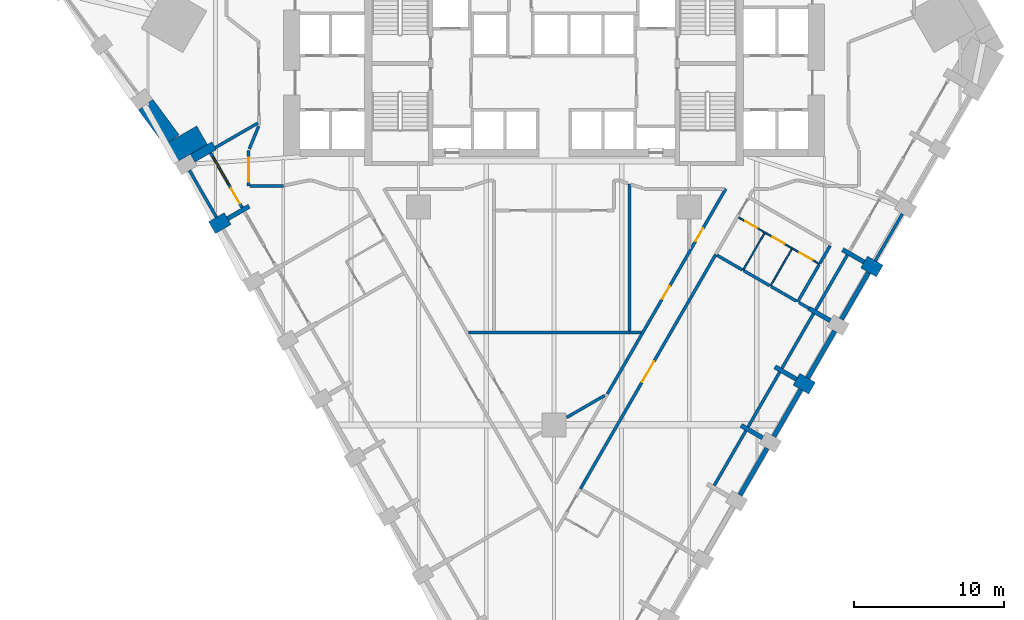
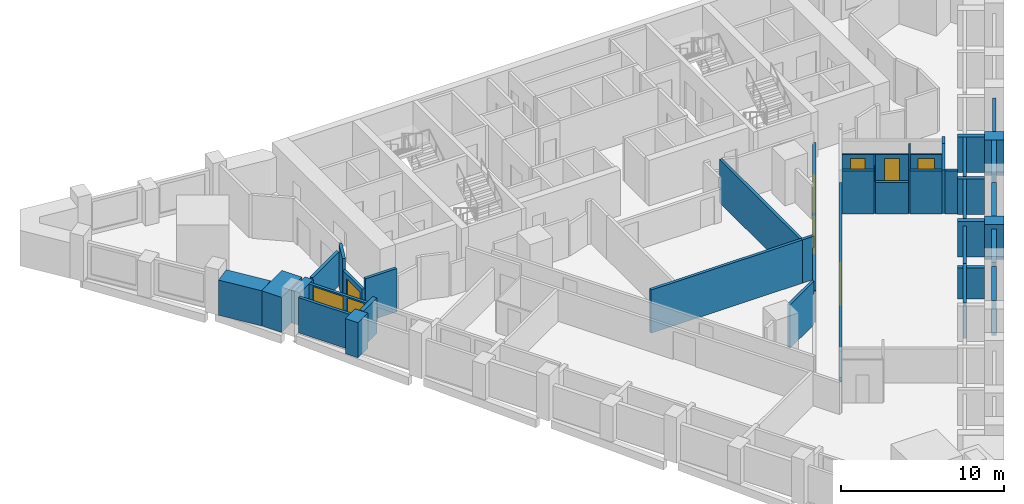
# One storey, part 4 of 10: 41 walls, 8 doors, 1 window, 9 openings.
"""IFC4 building model written with IfcOpenShell, lengths in metres."""

from ifc_helpers import new_model, si_unit, direction, frame, frame_2d, origin, place, context, subcontext, project, spatial, polyline, rectangle, outline, extrude, material, layer, layer_set, type_object, element, fill, save


model = new_model("IFC4")

# Units and contexts
model_context = context("Model", 3, precision=1e-05, world=origin(), true_north=direction((0.0, 1.0)))
body_context = subcontext(model_context, "Body", "Model", "MODEL_VIEW")
ifc_project = project(units=[si_unit("LENGTHUNIT", "METRE"), si_unit("AREAUNIT", "SQUARE_METRE"), si_unit("VOLUMEUNIT", "CUBIC_METRE"), si_unit("PLANEANGLEUNIT", "RADIAN"), si_unit("MASSUNIT", "GRAM", prefix="KILO")], contexts=[model_context])

# Site, building, storey
site_placement = place(None, origin())
site = spatial("IfcSite", under=ifc_project, at=site_placement, CompositionType="ELEMENT")
building_placement = place(site_placement, origin())
building = spatial("IfcBuilding", under=site, at=building_placement, Name="Calabash Gate Tower", CompositionType="ELEMENT")
storey_placement = place(building_placement, frame((0.0, 0.0, 56.199951171875)))
storey = spatial("IfcBuildingStorey", under=building, at=storey_placement, Name="L09", CompositionType="ELEMENT", Elevation=56.199951171875)

# Walls
ifc_material_1 = material(Name="Terracotta brick masonry, exposed face", Category="masonry")
ifc_layer_1 = layer(ifc_material_1, 2.5)
ifc_layer_set_1 = layer_set([ifc_layer_1], Name="Brick corner mass wall 2500")
wall_type_1 = type_object("IfcWallType", Name="Brick corner mass wall 2500", PredefinedType="SOLIDWALL", material=ifc_layer_set_1)
wall_1_placement = place(storey_placement, frame((-25.568603515625, 6.014404296875, 0.0), z_axis=(0.0, 0.0, 1.0), x_axis=(0.866022959057, 0.500004234368, 0.0)))
element("IfcWall", 1, at=wall_1_placement, inside=storey, type_object=wall_type_1, Name="Brick corner pier S02 1", PredefinedType="SOLIDWALL", context=body_context, shape_type="SweptSolid", body=[
    extrude(rectangle(XDim=2.5, YDim=1.417236328125, at=frame_2d((1.25, 0.0))), origin(), (0.0, 0.0, 1.0), 2.630126953125),
])
ifc_material_2 = material(Name="Terracotta brick masonry, exposed face", Category="masonry")
ifc_layer_2 = layer(ifc_material_2, 1.199951171875)
ifc_layer_set_2 = layer_set([ifc_layer_2], Name="Brick end wall 1200")
wall_type_2 = type_object("IfcWallType", Name="Brick end wall 1200", PredefinedType="SOLIDWALL", material=ifc_layer_set_2)
for number, where, z_axis, x_axis, name in (
    (2, (-22.7392578125, 1.114013671875, 0.0), (0.0, 0.0, 1.0), (0.866043267704, 0.499969057507, 0.0), "Brick pier S02 SW0.1"),
    (3, (17.168701171875, -9.56787109375, 0.0), (0.0, 0.0, 1.0), (-0.866043267704, 0.499969057507, 0.0), "Brick pier S02 SE2.5"),
):
    element("IfcWall", number, at=place(storey_placement, frame(where, z_axis=z_axis, x_axis=x_axis)), inside=storey, type_object=wall_type_2, Name=name, PredefinedType="SOLIDWALL", context=body_context, shape_type="SweptSolid", body=[
        extrude(rectangle(XDim=1.19970703125, YDim=0.89990234375, at=frame_2d((0.599853515625, 0.0))), origin(), (0.0, 0.0, 1.0), 2.630126953125),
    ])
wall_2_placement = place(storey_placement, frame((21.668701171875, -1.773681640625, 0.0), z_axis=(0.0, 0.0, 1.0), x_axis=(-0.865955154139, 0.50012165622, 0.0)))
element("IfcWall", 4, at=wall_2_placement, inside=storey, type_object=wall_type_2, Name="Brick pier S02 SE2.7", PredefinedType="SOLIDWALL", context=body_context, shape_type="SweptSolid", body=[
    extrude(rectangle(XDim=1.199951171875, YDim=0.89990234375, at=frame_2d((0.60009765625, 0.0))), origin(), (0.0, 0.0, 1.0), 2.630126953125),
])
wall_3_placement = place(storey_placement, origin())
element("IfcWall", 5, at=wall_3_placement, inside=storey, type_object=wall_type_2, Name="Brick end wall S02 3", PredefinedType="SOLIDWALL", context=body_context, shape_type="SweptSolid", body=[
    extrude(outline(polyline([(-24.921142578125, 7.285400390625), (-26.6708984375, 9.64697265625), (-26.671142578125, 9.646728515625), (-26.6708984375, 9.646484375), (-27.635009765625, 8.932373046875), (-25.90576171875, 6.5986328125), (-25.9228515625, 6.628173828125), (-25.4033203125, 6.92822265625), (-24.921142578125, 7.285400390625)])), origin(), (0.0, 0.0, 1.0), 2.630126953125),
])
ifc_material_3 = material(Name="Terracotta brick masonry, exposed face", Category="masonry")
ifc_layer_3 = layer(ifc_material_3, 0.300048828125)
ifc_layer_set_3 = layer_set([ifc_layer_3], Name="Brick infill panel wall 300")
wall_type_3 = type_object("IfcWallType", Name="Brick infill panel wall 300", PredefinedType="SOLIDWALL", material=ifc_layer_set_3)
wall_4_placement = place(storey_placement, frame((12.374267578125, -16.67236328125, 0.0), z_axis=(0.0, 0.0, 1.0), x_axis=(0.499961193289, 0.866047807691, 0.0)))
element("IfcWall", 6, at=wall_4_placement, inside=storey, type_object=wall_type_3, Name="Brick panel S02 SE2.4", PredefinedType="SOLIDWALL", context=body_context, shape_type="SweptSolid", body=[
    extrude(rectangle(XDim=3.599853515625, YDim=0.300048828125, at=frame_2d((1.7998046875, 0.0))), origin(), (0.0, 0.0, 1.0), 2.630126953125),
])
wall_5_placement = place(storey_placement, frame((14.625, -12.77392578125, 0.0), z_axis=(0.0, 0.0, 1.0), x_axis=(0.499984792966, 0.866034183392, 0.0)))
element("IfcWall", 7, at=wall_5_placement, inside=storey, type_object=wall_type_3, Name="Brick panel S02 SE2.5", PredefinedType="SOLIDWALL", context=body_context, shape_type="SweptSolid", body=[
    extrude(rectangle(XDim=3.59814453125, YDim=0.300048828125, at=frame_2d((1.799072265625, 0.0))), origin(), (0.0, 0.0, 1.0), 2.302490234375),
])
for number, where, z_axis, x_axis, name in (
    (8, (16.874267578125, -8.878173828125, 0.0), (0.0, 0.0, 1.0), (0.499961193289, 0.866047807691, 0.0), "Brick panel S02 SE2.6"),
    (9, (19.124267578125, -4.981201171875, 0.0), (0.0, 0.0, 1.0), (0.499961193289, 0.866047807691, 0.0), "Brick panel S02 SE2.7"),
):
    element("IfcWall", number, at=place(storey_placement, frame(where, z_axis=z_axis, x_axis=x_axis)), inside=storey, type_object=wall_type_3, Name=name, PredefinedType="SOLIDWALL", context=body_context, shape_type="SweptSolid", body=[
        extrude(rectangle(XDim=3.599853515625, YDim=0.300048828125, at=frame_2d((1.7998046875, 0.0))), origin(), (0.0, 0.0, 1.0), 2.630126953125),
    ])
ifc_material_4 = material(Name="Terracotta brick masonry, exposed face", Category="masonry")
ifc_layer_4 = layer(ifc_material_4, 0.300048828125)
ifc_layer_set_4 = layer_set([ifc_layer_4], Name="Brick loggia cheek wall 300")
wall_type_4 = type_object("IfcWallType", Name="Brick loggia cheek wall 300", PredefinedType="SOLIDWALL", material=ifc_layer_set_4)
wall_6_placement = place(storey_placement, frame((-22.59619140625, 6.56591796875, 0.0), z_axis=(0.0, 0.0, 1.0), x_axis=(-0.866040211805, -0.499974350878, 0.0)))
element("IfcWall", 10, at=wall_6_placement, inside=storey, type_object=wall_type_4, Name="Loggia cheek S02 SW0.0", PredefinedType="SOLIDWALL", context=body_context, shape_type="SweptSolid", body=[
    extrude(rectangle(XDim=1.64990234375, YDim=0.60009765625, at=frame_2d((0.824951171875, 0.0))), origin(), (0.0, 0.0, 1.0), 2.4501953125),
])
wall_7_placement = place(storey_placement, frame((-20.271240234375, 2.5390625, 0.0), z_axis=(0.0, 0.0, 1.0), x_axis=(-0.865976140824, -0.500085316245, 0.0)))
element("IfcWall", 11, at=wall_7_placement, inside=storey, type_object=wall_type_4, Name="Loggia cheek S02 SW0.1", PredefinedType="SOLIDWALL", context=body_context, shape_type="SweptSolid", body=[
    extrude(rectangle(XDim=1.650146484375, YDim=0.300048828125, at=frame_2d((0.8251953125, 0.0))), origin(), (0.0, 0.0, 1.0), 2.650146484375),
])
wall_8_placement = place(storey_placement, frame((13.87841796875, -12.864501953125, 0.0), z_axis=(0.0, 0.0, 1.0), x_axis=(-0.865983361098, 0.500072813, 0.0)))
element("IfcWall", 12, at=wall_8_placement, inside=storey, type_object=wall_type_4, Name="Loggia cheek S02 SE2.4", PredefinedType="SOLIDWALL", context=body_context, shape_type="SweptSolid", body=[
    extrude(rectangle(XDim=1.648681640625, YDim=0.300048828125, at=frame_2d((0.82421875, 0.0))), origin(), (0.0, 0.0, 1.0), 2.302490234375),
])
wall_9_placement = place(storey_placement, frame((14.70068359375, -8.142822265625, 0.0), z_axis=(0.0, 0.0, 1.0), x_axis=(0.865976140824, -0.500085316245, 0.0)))
element("IfcWall", 13, at=wall_9_placement, inside=storey, type_object=wall_type_4, Name="Loggia cheek S02 SE2.5", PredefinedType="SOLIDWALL", context=body_context, shape_type="SweptSolid", body=[
    extrude(rectangle(XDim=1.650146484375, YDim=0.300048828125, at=frame_2d((0.8251953125, 0.0))), origin(), (0.0, 0.0, 1.0), 2.650146484375),
])
wall_10_placement = place(storey_placement, frame((18.37939453125, -5.07080078125, 0.0), z_axis=(0.0, 0.0, 1.0), x_axis=(-0.866003217194, 0.500038426333, 0.0)))
element("IfcWall", 14, at=wall_10_placement, inside=storey, type_object=wall_type_4, Name="Loggia cheek S02 SE2.6", PredefinedType="SOLIDWALL", context=body_context, shape_type="SweptSolid", body=[
    extrude(rectangle(XDim=1.649658203125, YDim=0.300048828125, at=frame_2d((0.82470703125, 0.0))), origin(), (0.0, 0.0, 1.0), 2.650146484375),
])
wall_11_placement = place(storey_placement, frame((19.20068359375, -0.3486328125, 0.0), z_axis=(0.0, 0.0, 1.0), x_axis=(0.866040211805, -0.499974350878, 0.0)))
element("IfcWall", 15, at=wall_11_placement, inside=storey, type_object=wall_type_4, Name="Loggia cheek S02 SE2.7", PredefinedType="SOLIDWALL", context=body_context, shape_type="SweptSolid", body=[
    extrude(rectangle(XDim=1.64990234375, YDim=0.300048828125, at=frame_2d((0.824951171875, 0.0))), origin(), (0.0, 0.0, 1.0), 2.650146484375),
])

# Wall, openings, doors
ifc_material_5 = material(Name="Gypsum board on steel studs, mineral wool", Category="steel")
ifc_layer_5 = layer(ifc_material_5, 0.10009765625)
ifc_layer_set_5 = layer_set([ifc_layer_5], Name="Partition 100 gypsum board")
wall_type_5 = type_object("IfcWallType", Name="Partition 100 gypsum board", PredefinedType="PARTITIONING", material=ifc_layer_set_5)
wall_12_placement = place(storey_placement, frame((12.296875, 1.789794921875, 0.0), z_axis=(0.0, 0.0, 1.0), x_axis=(0.866018973846, -0.500011136814, 0.0)))
wall_12 = element("IfcWall", 16, at=wall_12_placement, inside=storey, type_object=wall_type_5, Name="Partition", PredefinedType="PARTITIONING", context=body_context, shape_type="SweptSolid", body=[
    extrude(rectangle(XDim=6.197998046875, YDim=0.10009765625, at=frame_2d((3.09912109375, 0.0))), origin(), (0.0, 0.0, 1.0), 2.384033203125),
])
opening_1_placement = place(wall_12_placement, frame((0.498046875, 0.0, 0.0)))
opening_1 = element("IfcOpeningElement", 17, at=opening_1_placement, cuts=wall_12, Name="Opening 09-11-013", PredefinedType="OPENING", context=body_context, shape_type="SweptSolid", body=[
    extrude(rectangle(XDim=0.89990234375, YDim=2.10009765625, at=frame_2d((0.449951171875, 1.050048828125))), frame((0.0, 0.06005859375, 0.0), z_axis=(0.0, -1.0, 0.0), x_axis=(1.0, 0.0, 0.0)), (0.0, 0.0, 1.0), 0.1201171875),
])
opening_2_placement = place(wall_12_placement, frame((2.59814453125, 0.0, 0.0)))
opening_2 = element("IfcOpeningElement", 18, at=opening_2_placement, cuts=wall_12, Name="Opening 09-11-014", PredefinedType="OPENING", context=body_context, shape_type="SweptSolid", body=[
    extrude(rectangle(XDim=0.89990234375, YDim=2.10009765625, at=frame_2d((0.449951171875, 1.050048828125))), frame((0.0, 0.06005859375, 0.0), z_axis=(0.0, -1.0, 0.0), x_axis=(1.0, 0.0, 0.0)), (0.0, 0.0, 1.0), 0.1201171875),
])
opening_3_placement = place(wall_12_placement, frame((4.64794921875, 0.0, 0.0)))
opening_3 = element("IfcOpeningElement", 19, at=opening_3_placement, cuts=wall_12, Name="Opening 09-11-015", PredefinedType="OPENING", context=body_context, shape_type="SweptSolid", body=[
    extrude(rectangle(XDim=1.0, YDim=2.10009765625, at=frame_2d((0.5, 1.050048828125))), frame((0.0, 0.06005859375, 0.0), z_axis=(0.0, -1.0, 0.0), x_axis=(1.0, 0.0, 0.0)), (0.0, 0.0, 1.0), 0.1201171875),
])
ifc_material_6 = material(Name="Painted timber door", Category="wood")
door_type_1 = type_object("IfcDoorType", Name="WD1 WC door 900x2100", OperationType="NOTDEFINED", PredefinedType="DOOR", material=ifc_material_6)
door_1_placement = place(opening_1_placement, origin())
door_1 = element("IfcDoor", 20, at=door_1_placement, inside=storey, type_object=door_type_1, Name="WC door", OperationType="SINGLE_SWING_RIGHT", OverallHeight=2.10009765625, OverallWidth=0.89990234375, PredefinedType="DOOR", context=body_context, shape_type="SweptSolid", body=[
    extrude(rectangle(XDim=0.89990234375, YDim=2.10009765625, at=frame_2d((0.449951171875, 1.050048828125))), frame((0.0, 0.02490234375, 0.0), z_axis=(0.0, -1.0, 0.0), x_axis=(1.0, 0.0, 0.0)), (0.0, 0.0, 1.0), 0.050048828125),
])
fill(opening_1, door_1)
door_2_placement = place(opening_2_placement, origin())
door_2 = element("IfcDoor", 21, at=door_2_placement, inside=storey, type_object=door_type_1, Name="WC door", OperationType="SINGLE_SWING_RIGHT", OverallHeight=2.10009765625, OverallWidth=0.89990234375, PredefinedType="DOOR", context=body_context, shape_type="SweptSolid", body=[
    extrude(rectangle(XDim=0.89990234375, YDim=2.10009765625, at=frame_2d((0.449951171875, 1.050048828125))), frame((0.0, 0.02490234375, 0.0), z_axis=(0.0, -1.0, 0.0), x_axis=(1.0, 0.0, 0.0)), (0.0, 0.0, 1.0), 0.050048828125),
])
fill(opening_2, door_2)
ifc_material_7 = material(Name="Painted timber door", Category="wood")
door_type_2 = type_object("IfcDoorType", Name="WD2 Accessible WC door 1000x2100", OperationType="NOTDEFINED", PredefinedType="DOOR", material=ifc_material_7)
door_3_placement = place(opening_3_placement, origin())
door_3 = element("IfcDoor", 22, at=door_3_placement, inside=storey, type_object=door_type_2, Name="Accessible WC door", OperationType="SINGLE_SWING_LEFT", OverallHeight=2.10009765625, OverallWidth=1.0, PredefinedType="DOOR", context=body_context, shape_type="SweptSolid", body=[
    extrude(rectangle(XDim=1.0, YDim=2.10009765625, at=frame_2d((0.5, 1.050048828125))), frame((0.0, 0.02490234375, 0.0), z_axis=(0.0, -1.0, 0.0), x_axis=(1.0, 0.0, 0.0)), (0.0, 0.0, 1.0), 0.050048828125),
])
fill(opening_3, door_3)

# Walls
wall_13_placement = place(storey_placement, frame((14.397705078125, -2.771484375, 0.0), z_axis=(0.0, 0.0, 1.0), x_axis=(0.500009219579, 0.866020080793, 0.0)))
element("IfcWall", 23, at=wall_13_placement, inside=storey, type_object=wall_type_5, Name="Partition", PredefinedType="PARTITIONING", context=body_context, shape_type="SweptSolid", body=[
    extrude(rectangle(XDim=2.849609375, YDim=0.10009765625, at=frame_2d((1.4248046875, 0.0))), origin(), (0.0, 0.0, 1.0), 3.22998046875),
])
wall_14_placement = place(storey_placement, frame((12.5791015625, -1.7216796875, 0.0), z_axis=(0.0, 0.0, 1.0), x_axis=(0.499972122318, 0.866041498374, 0.0)))
element("IfcWall", 24, at=wall_14_placement, inside=storey, type_object=wall_type_5, Name="Partition", PredefinedType="PARTITIONING", context=body_context, shape_type="SweptSolid", body=[
    extrude(rectangle(XDim=2.849853515625, YDim=0.10009765625, at=frame_2d((1.4248046875, 0.0))), origin(), (0.0, 0.0, 1.0), 2.384033203125),
])
ifc_material_8 = material(Name="Gypsum board on steel studs, mineral wool", Category="steel")
ifc_layer_6 = layer(ifc_material_8, 0.199951171875)
ifc_layer_set_6 = layer_set([ifc_layer_6], Name="Partition 200 gypsum board EI 60")
wall_type_6 = type_object("IfcWallType", Name="Partition 200 gypsum board EI 60", PredefinedType="PARTITIONING", material=ifc_layer_set_6)
wall_15_placement = place(storey_placement, frame((0.85009765625, -11.509033203125, 0.0), z_axis=(0.0, 0.0, 1.0), x_axis=(0.865875518892, 0.500259518434, 0.0)))
element("IfcWall", 25, at=wall_15_placement, inside=storey, type_object=wall_type_6, Name="Partition", PredefinedType="PARTITIONING", context=body_context, shape_type="SweptSolid", body=[
    extrude(rectangle(XDim=2.9248046875, YDim=0.199951171875, at=frame_2d((1.46240234375, 0.0))), origin(), (0.0, 0.0, 1.0), 3.22998046875),
])

# Wall, openings, doors
wall_16_placement = place(storey_placement, frame((3.552001953125, -9.94921875, 0.0), z_axis=(0.0, 0.0, 1.0), x_axis=(0.4999924075, 0.866029787272, 0.0)))
wall_16 = element("IfcWall", 26, at=wall_16_placement, inside=storey, type_object=wall_type_6, Name="Partition", PredefinedType="PARTITIONING", context=body_context, shape_type="SweptSolid", body=[
    extrude(rectangle(XDim=15.761474609375, YDim=0.199951171875, at=frame_2d((7.880859375, 0.0))), origin(), (0.0, 0.0, 1.0), 2.384033203125),
])
opening_4_placement = place(wall_16_placement, frame((7.303955078125, 0.0, 0.0)))
opening_4 = element("IfcOpeningElement", 27, at=opening_4_placement, cuts=wall_16, Name="Opening 09-11-006", PredefinedType="OPENING", context=body_context, shape_type="SweptSolid", body=[
    extrude(rectangle(XDim=1.0, YDim=2.10009765625, at=frame_2d((0.5, 1.050048828125))), frame((0.0, 0.10986328125, 0.0), z_axis=(0.0, -1.0, 0.0), x_axis=(1.0, 0.0, 0.0)), (0.0, 0.0, 1.0), 0.219970703125),
])
opening_5_placement = place(wall_16_placement, frame((11.7265625, 0.0, 0.0)))
opening_5 = element("IfcOpeningElement", 28, at=opening_5_placement, cuts=wall_16, Name="Opening 09-11-007", PredefinedType="OPENING", context=body_context, shape_type="SweptSolid", body=[
    extrude(rectangle(XDim=1.0, YDim=2.10009765625, at=frame_2d((0.5, 1.050048828125))), frame((0.0, 0.10986328125, 0.0), z_axis=(0.0, -1.0, 0.0), x_axis=(1.0, 0.0, 0.0)), (0.0, 0.0, 1.0), 0.219970703125),
])
ifc_material_9 = material(Name="Steel fire door set with fire-resisting glazing", Category="steel")
door_type_3 = type_object("IfcDoorType", Name="LD2 Meeting room door 1000x2100", OperationType="NOTDEFINED", PredefinedType="DOOR", material=ifc_material_9)
door_4_placement = place(opening_4_placement, origin())
door_4 = element("IfcDoor", 29, at=door_4_placement, inside=storey, type_object=door_type_3, Name="Meeting room door", OperationType="SINGLE_SWING_LEFT", OverallHeight=2.10009765625, OverallWidth=1.0, PredefinedType="DOOR", context=body_context, shape_type="SweptSolid", body=[
    extrude(rectangle(XDim=1.0, YDim=2.10009765625, at=frame_2d((0.5, 1.050048828125))), frame((0.0, 0.02490234375, 0.0), z_axis=(0.0, -1.0, 0.0), x_axis=(1.0, 0.0, 0.0)), (0.0, 0.0, 1.0), 0.050048828125),
])
fill(opening_4, door_4)
door_5_placement = place(opening_5_placement, origin())
door_5 = element("IfcDoor", 30, at=door_5_placement, inside=storey, type_object=door_type_3, Name="Meeting room door", OperationType="SINGLE_SWING_RIGHT", OverallHeight=2.10009765625, OverallWidth=1.0, PredefinedType="DOOR", context=body_context, shape_type="SweptSolid", body=[
    extrude(rectangle(XDim=1.0, YDim=2.10009765625, at=frame_2d((0.5, 1.050048828125))), frame((0.0, 0.02490234375, 0.0), z_axis=(0.0, -1.0, 0.0), x_axis=(1.0, 0.0, 0.0)), (0.0, 0.0, 1.0), 0.050048828125),
])
fill(opening_5, door_5)

# Walls
wall_17_placement = place(storey_placement, frame((-5.67431640625, -5.869873046875, 0.0), z_axis=(0.0, 0.0, 1.0), x_axis=(0.999999987222, 0.000159861147, 0.0)))
element("IfcWall", 31, at=wall_17_placement, inside=storey, type_object=wall_type_6, Name="Partition", PredefinedType="PARTITIONING", context=body_context, shape_type="SweptSolid", body=[
    extrude(rectangle(XDim=10.6904296875, YDim=0.199951171875, at=frame_2d((5.34521484375, 0.0))), origin(), (0.0, 0.0, 1.0), 3.22998046875),
])
wall_18_placement = place(storey_placement, frame((5.01220703125, -5.8681640625, 0.0), z_axis=(0.0, 0.0, 1.0), x_axis=(0.99999831045, -0.001838232188, 0.0)))
element("IfcWall", 32, at=wall_18_placement, inside=storey, type_object=wall_type_6, Name="Partition", PredefinedType="PARTITIONING", context=body_context, shape_type="SweptSolid", body=[
    extrude(rectangle(XDim=0.796875, YDim=0.199951171875, at=frame_2d((0.3984375, 0.0))), origin(), (0.0, 0.0, 1.0), 3.22998046875),
])
wall_19_placement = place(storey_placement, frame((5.01220703125, -5.767822265625, 0.0), z_axis=(0.0, 0.0, 1.0), x_axis=(0.0, 1.0, 0.0)))
element("IfcWall", 33, at=wall_19_placement, inside=storey, type_object=wall_type_6, Name="Partition", PredefinedType="PARTITIONING", context=body_context, shape_type="SweptSolid", body=[
    extrude(rectangle(XDim=9.796875, YDim=0.199951171875, at=frame_2d((4.8984375, 0.0))), origin(), (0.0, 0.0, 1.0), 3.22998046875),
])
wall_20_placement = place(storey_placement, frame((16.30224609375, -3.869384765625, 0.0), z_axis=(0.0, 0.0, 1.0), x_axis=(0.864957684326, -0.501844801034, 0.0)))
element("IfcWall", 34, at=wall_20_placement, inside=storey, type_object=wall_type_6, Name="Partition", PredefinedType="PARTITIONING", context=body_context, shape_type="SweptSolid", body=[
    extrude(rectangle(XDim=0.749755859375, YDim=0.199951171875, at=frame_2d((0.375, 0.0))), origin(), (0.0, 0.0, 1.0), 3.22998046875),
])
wall_21_placement = place(storey_placement, frame((16.214599609375, -3.820556640625, 0.0), z_axis=(0.0, 0.0, 1.0), x_axis=(0.499509955189, 0.866308146486, 0.0)))
element("IfcWall", 35, at=wall_21_placement, inside=storey, type_object=wall_type_6, Name="Partition", PredefinedType="PARTITIONING", context=body_context, shape_type="SweptSolid", body=[
    extrude(rectangle(XDim=2.851318359375, YDim=0.199951171875, at=frame_2d((1.42578125, 0.0))), origin(), (0.0, 0.0, 1.0), 3.22998046875),
])
wall_22_placement = place(storey_placement, frame((14.440185546875, -2.794189453125, 0.0), z_axis=(0.0, 0.0, 1.0), x_axis=(0.865603401191, -0.500730218626, 0.0)))
element("IfcWall", 36, at=wall_22_placement, inside=storey, type_object=wall_type_6, Name="Partition", PredefinedType="PARTITIONING", context=body_context, shape_type="SweptSolid", body=[
    extrude(rectangle(XDim=1.94970703125, YDim=0.199951171875, at=frame_2d((0.974853515625, 0.0))), origin(), (0.0, 0.0, 1.0), 3.22998046875),
])
wall_23_placement = place(storey_placement, frame((12.62158203125, -1.744140625, 0.0), z_axis=(0.0, 0.0, 1.0), x_axis=(0.865571128327, -0.500786004005, 0.0)))
element("IfcWall", 37, at=wall_23_placement, inside=storey, type_object=wall_type_6, Name="Partition", PredefinedType="PARTITIONING", context=body_context, shape_type="SweptSolid", body=[
    extrude(rectangle(XDim=1.999755859375, YDim=0.199951171875, at=frame_2d((1.0, 0.0))), origin(), (0.0, 0.0, 1.0), 2.384033203125),
])
wall_24_placement = place(storey_placement, frame((17.689208984375, -1.263427734375, 0.0), z_axis=(0.0, 0.0, 1.0), x_axis=(0.501000622125, 0.865446923058, 0.0)))
element("IfcWall", 38, at=wall_24_placement, inside=storey, type_object=wall_type_6, Name="Partition", PredefinedType="PARTITIONING", context=body_context, shape_type="SweptSolid", body=[
    extrude(rectangle(XDim=1.349853515625, YDim=0.199951171875, at=frame_2d((0.6748046875, 0.0))), origin(), (0.0, 0.0, 1.0), 2.701904296875),
])
wall_25_placement = place(storey_placement, frame((10.847900390625, -0.72021484375, 0.0), z_axis=(0.0, 0.0, 1.0), x_axis=(0.865600721384, -0.500734851134, 0.0)))
element("IfcWall", 39, at=wall_25_placement, inside=storey, type_object=wall_type_6, Name="Partition", PredefinedType="PARTITIONING", context=body_context, shape_type="SweptSolid", body=[
    extrude(rectangle(XDim=1.94775390625, YDim=0.199951171875, at=frame_2d((0.973876953125, 0.0))), origin(), (0.0, 0.0, 1.0), 3.22998046875),
])

# Wall, opening, door
wall_26_placement = place(storey_placement, frame((1.76025390625, -16.26025390625, 0.0), z_axis=(0.0, 0.0, 1.0), x_axis=(0.5000018851, 0.866024315419, 0.0)))
wall_26 = element("IfcWall", 40, at=wall_26_placement, inside=storey, type_object=wall_type_6, Name="Partition", PredefinedType="PARTITIONING", context=body_context, shape_type="SweptSolid", body=[
    extrude(rectangle(XDim=18.0, YDim=0.199951171875, at=frame_2d((9.0, 0.0))), origin(), (0.0, 0.0, 1.0), 2.302490234375),
])
opening_6_placement = place(wall_26_placement, frame((8.199951171875, 0.0, 0.0)))
opening_6 = element("IfcOpeningElement", 41, at=opening_6_placement, cuts=wall_26, Name="Opening 09-11-004", PredefinedType="OPENING", context=body_context, shape_type="SweptSolid", body=[
    extrude(rectangle(XDim=1.60009765625, YDim=2.10009765625, at=frame_2d((0.800048828125, 1.050048828125))), frame((0.0, 0.10986328125, 0.0), z_axis=(0.0, -1.0, 0.0), x_axis=(1.0, 0.0, 0.0)), (0.0, 0.0, 1.0), 0.219970703125),
])
ifc_material_10 = material(Name="Steel fire door set with fire-resisting glazing", Category="steel")
door_type_4 = type_object("IfcDoorType", Name="LD1 Lounge double door 1600x2100", OperationType="NOTDEFINED", PredefinedType="DOOR", material=ifc_material_10)
door_6_placement = place(opening_6_placement, origin())
door_6 = element("IfcDoor", 42, at=door_6_placement, inside=storey, type_object=door_type_4, Name="Lounge double door", OperationType="DOUBLE_DOOR_SINGLE_SWING", OverallHeight=2.10009765625, OverallWidth=1.60009765625, PredefinedType="DOOR", context=body_context, shape_type="SweptSolid", body=[
    extrude(rectangle(XDim=1.60009765625, YDim=2.10009765625, at=frame_2d((0.800048828125, 1.050048828125))), frame((0.0, 0.02490234375, 0.0), z_axis=(0.0, -1.0, 0.0), x_axis=(1.0, 0.0, 0.0)), (0.0, 0.0, 1.0), 0.050048828125),
])
fill(opening_6, door_6)

wall_27_placement = place(storey_placement, frame((-20.300537109375, 6.252685546875, 0.0), z_axis=(0.0, 0.0, 1.0), x_axis=(0.000103755965, -0.999999994617, 0.0)))
wall_27 = element("IfcWall", 43, at=wall_27_placement, inside=storey, type_object=wall_type_6, Name="Partition", PredefinedType="PARTITIONING", context=body_context, shape_type="SweptSolid", body=[
    extrude(rectangle(XDim=2.35302734375, YDim=0.199951171875, at=frame_2d((1.176513671875, 0.0))), origin(), (0.0, 0.0, 1.0), 2.4501953125),
])
opening_7_placement = place(wall_27_placement, frame((0.476318359375, 0.0, 0.0)))
opening_7 = element("IfcOpeningElement", 44, at=opening_7_placement, cuts=wall_27, Name="Opening 09-11-018", PredefinedType="OPENING", context=body_context, shape_type="SweptSolid", body=[
    extrude(rectangle(XDim=1.60009765625, YDim=2.10009765625, at=frame_2d((0.800048828125, 1.050048828125))), frame((0.0, 0.10986328125, 0.0), z_axis=(0.0, -1.0, 0.0), x_axis=(1.0, 0.0, 0.0)), (0.0, 0.0, 1.0), 0.219970703125),
])
door_7_placement = place(opening_7_placement, origin())
door_7 = element("IfcDoor", 45, at=door_7_placement, inside=storey, type_object=door_type_4, Name="Lounge double door", OperationType="DOUBLE_DOOR_SINGLE_SWING", OverallHeight=2.10009765625, OverallWidth=1.60009765625, PredefinedType="DOOR", context=body_context, shape_type="SweptSolid", body=[
    extrude(rectangle(XDim=1.60009765625, YDim=2.10009765625, at=frame_2d((0.800048828125, 1.050048828125))), frame((0.0, 0.02490234375, 0.0), z_axis=(0.0, -1.0, 0.0), x_axis=(1.0, 0.0, 0.0)), (0.0, 0.0, 1.0), 0.050048828125),
])
fill(opening_7, door_7)

# Walls
wall_28_placement = place(storey_placement, frame((-20.2001953125, 3.899658203125, 0.0), z_axis=(0.0, 0.0, 1.0), x_axis=(0.999999993844, -0.00011096316, 0.0)))
element("IfcWall", 46, at=wall_28_placement, inside=storey, type_object=wall_type_6, Name="Partition", PredefinedType="PARTITIONING", context=body_context, shape_type="SweptSolid", body=[
    extrude(rectangle(XDim=2.2001953125, YDim=0.199951171875, at=frame_2d((1.10009765625, 0.0))), origin(), (0.0, 0.0, 1.0), 3.22998046875),
])
wall_29_placement = place(storey_placement, frame((-20.262451171875, 6.34521484375, 0.0), z_axis=(0.0, 0.0, 1.0), x_axis=(0.380749805254, 0.924678098475, 0.0)))
element("IfcWall", 47, at=wall_29_placement, inside=storey, type_object=wall_type_6, Name="Partition", PredefinedType="PARTITIONING", context=body_context, shape_type="SweptSolid", body=[
    extrude(rectangle(XDim=1.63818359375, YDim=0.199951171875, at=frame_2d((0.819091796875, 0.0))), origin(), (0.0, 0.0, 1.0), 3.22998046875),
])
wall_30_placement = place(storey_placement, frame((-22.52099609375, 6.435791015625, 0.0), z_axis=(0.0, 0.0, 1.0), x_axis=(0.866279994271, 0.499558776848, 0.0)))
element("IfcWall", 48, at=wall_30_placement, inside=storey, type_object=wall_type_6, Name="Partition", PredefinedType="PARTITIONING", context=body_context, shape_type="SweptSolid", body=[
    extrude(rectangle(XDim=3.271484375, YDim=0.199951171875, at=frame_2d((1.6357421875, 0.0))), origin(), (0.0, 0.0, 1.0), 2.552001953125),
])
ifc_material_11 = material(Name="Terracotta brick masonry, perforated", Category="masonry")
ifc_layer_7 = layer(ifc_material_11, 0.199951171875)
ifc_layer_set_7 = layer_set([ifc_layer_7], Name="Terracotta jaali screen B")
wall_type_7 = type_object("IfcWallType", Name="Terracotta jaali screen B", PredefinedType="SOLIDWALL", material=ifc_layer_set_7)
for number, where, z_axis, x_axis, name in (
    (49, (-24.24462890625, 4.92138671875, 0.0), (0.0, 0.0, 1.0), (0.499961193289, -0.866047807691, 0.0), "SCREEN B S02 SW0.1"),
    (50, (21.374267578125, -1.083984375, 0.0), (0.0, 0.0, 1.0), (0.499961193289, 0.866047807691, 0.0), "SCREEN B S02 SE2.8"),
):
    element("IfcWall", number, at=place(storey_placement, frame(where, z_axis=z_axis, x_axis=x_axis)), inside=storey, type_object=wall_type_7, Name=name, PredefinedType="SOLIDWALL", context=body_context, shape_type="SweptSolid", body=[
        extrude(rectangle(XDim=3.599853515625, YDim=0.199951171875, at=frame_2d((1.7998046875, 0.0))), origin(), (0.0, 0.0, 1.0), 2.630126953125),
    ])

# Wall, openings, door, window
ifc_material_12 = material(Name="Aluminium framed window wall with insulated spandrel", Category="aluminium")
ifc_layer_8 = layer(ifc_material_12, 0.199951171875)
ifc_layer_set_8 = layer_set([ifc_layer_8], Name="Window wall 200")
wall_type_8 = type_object("IfcWallType", Name="Window wall 200", PredefinedType="ELEMENTEDWALL", material=ifc_layer_set_8)
wall_31_placement = place(storey_placement, frame((-22.8359375, 6.081298828125, 0.0), z_axis=(0.0, 0.0, 1.0), x_axis=(0.500002543286, -0.866023935413, 0.0)))
wall_31 = element("IfcWall", 51, at=wall_31_placement, inside=storey, type_object=wall_type_8, Name="Window wall S02 SW0.1", PredefinedType="ELEMENTEDWALL", context=body_context, shape_type="SweptSolid", body=[
    extrude(rectangle(XDim=4.2001953125, YDim=0.199951171875, at=frame_2d((2.10009765625, 0.0))), origin(), (0.0, 0.0, 1.0), 2.4501953125),
])
opening_8_placement = place(wall_31_placement, frame((0.300048828125, 0.0, 0.60009765625)))
opening_8 = element("IfcOpeningElement", 52, at=opening_8_placement, cuts=wall_31, Name="Opening HW1L-1750", PredefinedType="OPENING", context=body_context, shape_type="SweptSolid", body=[
    extrude(rectangle(XDim=2.10009765625, YDim=1.75, at=frame_2d((1.050048828125, 0.875))), frame((0.0, 0.10986328125, 0.0), z_axis=(0.0, -1.0, 0.0), x_axis=(1.0, 0.0, 0.0)), (0.0, 0.0, 1.0), 0.219970703125),
])
opening_9_placement = place(wall_31_placement, frame((2.699951171875, 0.0, 0.0)))
opening_9 = element("IfcOpeningElement", 53, at=opening_9_placement, cuts=wall_31, Name="Opening H2-023", PredefinedType="OPENING", context=body_context, shape_type="SweptSolid", body=[
    extrude(rectangle(XDim=1.199951171875, YDim=2.35009765625, at=frame_2d((0.60009765625, 1.175048828125))), frame((0.0, 0.10986328125, 0.0), z_axis=(0.0, -1.0, 0.0), x_axis=(1.0, 0.0, 0.0)), (0.0, 0.0, 1.0), 0.219970703125),
])
ifc_material_13 = material(Name="Anodised aluminium frame, bronze finish, impact-rated laminated clear glazing", Category="aluminium")
door_type_5 = type_object("IfcDoorType", Name="Loggia door DH1L-2350 1200x2350", OperationType="SLIDING_TO_LEFT", PredefinedType="DOOR", material=ifc_material_13)
door_8_placement = place(opening_9_placement, origin())
door_8 = element("IfcDoor", 54, at=door_8_placement, inside=storey, type_object=door_type_5, Name="Loggia door S02 SW0.1", OperationType="SINGLE_SWING_LEFT", OverallHeight=2.35009765625, OverallWidth=1.199951171875, PredefinedType="DOOR", context=body_context, shape_type="SweptSolid", body=[
    extrude(rectangle(XDim=1.199951171875, YDim=2.35009765625, at=frame_2d((0.60009765625, 1.175048828125))), frame((0.0, 0.02490234375, 0.0), z_axis=(0.0, -1.0, 0.0), x_axis=(1.0, 0.0, 0.0)), (0.0, 0.0, 1.0), 0.050048828125),
])
fill(opening_9, door_8)
ifc_material_14 = material(Name="Anodised aluminium frame, bronze finish, impact-rated laminated clear glazing", Category="aluminium")
window_type = type_object("IfcWindowType", Name="Window HW1L 2100x1750", PartitioningType="DOUBLE_PANEL_VERTICAL", PredefinedType="WINDOW", material=ifc_material_14)
window_placement = place(opening_8_placement, origin())
window = element("IfcWindow", 55, at=window_placement, inside=storey, type_object=window_type, Name="Window HW1 S02 SW0.1", OverallHeight=1.75, OverallWidth=2.10009765625, PartitioningType="SINGLE_PANEL", PredefinedType="WINDOW", context=body_context, shape_type="SweptSolid", body=[
    extrude(rectangle(XDim=2.10009765625, YDim=1.75, at=frame_2d((1.050048828125, 0.875))), frame((0.0, 0.030029296875, 0.0), z_axis=(0.0, -1.0, 0.0), x_axis=(1.0, 0.0, 0.0)), (0.0, 0.0, 1.0), 0.06005859375),
])
fill(opening_8, window)

# Walls
wall_32_placement = place(storey_placement, frame((10.665283203125, -16.0322265625, 0.0), z_axis=(0.0, 0.0, 1.0), x_axis=(0.500027713859, 0.866009402589, 0.0)))
element("IfcWall", 56, at=wall_32_placement, inside=storey, type_object=wall_type_8, Name="Window wall S02 SE2.4", PredefinedType="ELEMENTEDWALL", context=body_context, shape_type="SweptSolid", body=[
    extrude(rectangle(XDim=4.199951171875, YDim=0.199951171875, at=frame_2d((2.10009765625, 0.0))), origin(), (0.0, 0.0, 1.0), 2.650146484375),
])
wall_33_placement = place(storey_placement, frame((12.915283203125, -12.13525390625, 0.0), z_axis=(0.0, 0.0, 1.0), x_axis=(0.500002543286, 0.866023935413, 0.0)))
element("IfcWall", 57, at=wall_33_placement, inside=storey, type_object=wall_type_8, Name="Window wall S02 SE2.5", PredefinedType="ELEMENTEDWALL", context=body_context, shape_type="SweptSolid", body=[
    extrude(rectangle(XDim=4.2001953125, YDim=0.199951171875, at=frame_2d((2.10009765625, 0.0))), origin(), (0.0, 0.0, 1.0), 2.302490234375),
])
for number, where, z_axis, x_axis, name in (
    (58, (15.165283203125, -8.238037109375, 0.0), (0.0, 0.0, 1.0), (0.500027713859, 0.866009402589, 0.0), "Window wall S02 SE2.6"),
    (59, (17.415283203125, -4.3408203125, 0.0), (0.0, 0.0, 1.0), (0.500027713859, 0.866009402589, 0.0), "Window wall S02 SE2.7"),
):
    element("IfcWall", number, at=place(storey_placement, frame(where, z_axis=z_axis, x_axis=x_axis)), inside=storey, type_object=wall_type_8, Name=name, PredefinedType="ELEMENTEDWALL", context=body_context, shape_type="SweptSolid", body=[
        extrude(rectangle(XDim=4.199951171875, YDim=0.199951171875, at=frame_2d((2.10009765625, 0.0))), origin(), (0.0, 0.0, 1.0), 2.650146484375),
    ])

save(model, "model.ifc")
